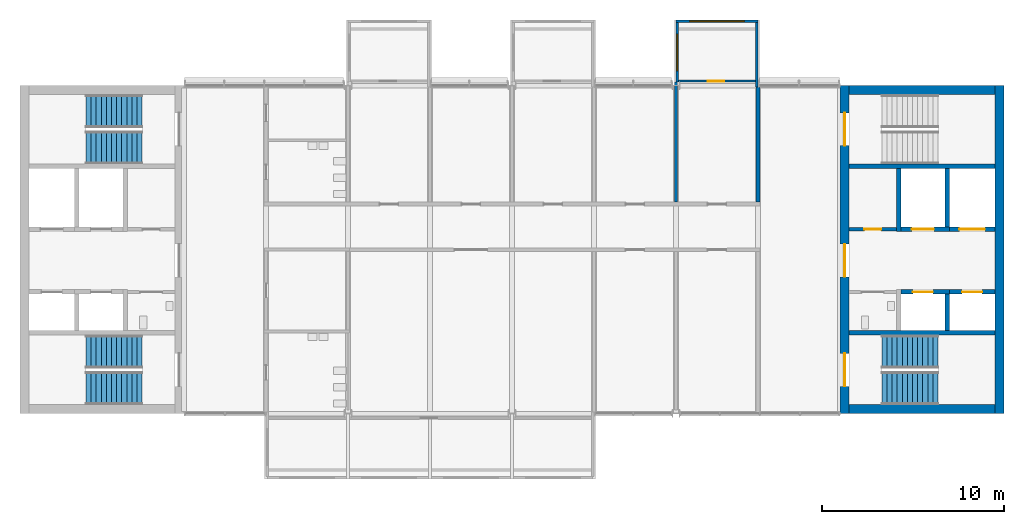
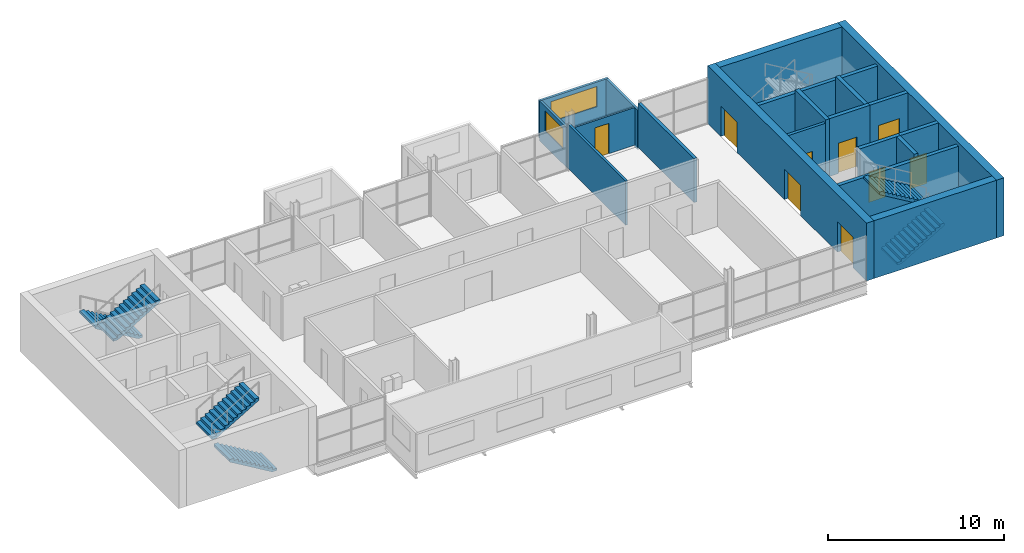
# One storey, part 7 of 11: 20 walls, 9 doors, 6 stair flights, 2 windows, 11 openings, 3 elements without a shape of their own.
"""IFC4 building model written with IfcOpenShell, lengths in metres."""

from ifc_helpers import new_model, si_unit, direction, frame, frame_2d, origin, place, context, subcontext, project, spatial, polyline, rectangle, outline, extrude, material, layer, layer_set, type_object, element, fill, aggregate, save


model = new_model("IFC4")

# Units and contexts
model_context = context("Model", 3, precision=1e-05, world=origin(), true_north=direction((0.0, 1.0)))
body_context = subcontext(model_context, "Body", "Model", "MODEL_VIEW")
ifc_project = project(units=[si_unit("LENGTHUNIT", "METRE"), si_unit("AREAUNIT", "SQUARE_METRE"), si_unit("VOLUMEUNIT", "CUBIC_METRE"), si_unit("PLANEANGLEUNIT", "RADIAN"), si_unit("MASSUNIT", "GRAM", prefix="KILO")], contexts=[model_context])

# Site, building, storey
site_placement = place(None, origin())
site = spatial("IfcSite", under=ifc_project, at=site_placement, CompositionType="ELEMENT")
building_placement = place(site_placement, origin())
building = spatial("IfcBuilding", under=site, at=building_placement, Name="Corbel Yard City Hall", CompositionType="ELEMENT")
storey_placement = place(building_placement, frame((0.0, 0.0, 35.199951171875)))
storey = spatial("IfcBuildingStorey", under=building, at=storey_placement, Name="L08", CompositionType="ELEMENT", Elevation=35.199951171875)

# Walls
ifc_material_1 = material(Name="Concrete N40 (40 MPa)", Category="concrete")
ifc_layer_1 = layer(ifc_material_1, 0.25)
ifc_layer_set_1 = layer_set([ifc_layer_1], Name="Concrete N40 (40 MPa)")
wall_type_1 = type_object("IfcWallType", Name="IW2", PredefinedType="SOLIDWALL", material=ifc_layer_set_1)
for number, where, z_axis, x_axis, name in (
    (1, (45.5, 103.425048828125, 0.0), (0.0, 0.0, 1.0), (1.0, 0.0, 0.0), "Stair enclosure wall"),
    (2, (45.5, 112.574951171875, 0.0), (0.0, 0.0, 1.0), (1.0, 0.0, 0.0), "Stair enclosure wall"),
):
    element("IfcWall", number, at=place(storey_placement, frame(where, z_axis=z_axis, x_axis=x_axis)), inside=storey, type_object=wall_type_1, Name=name, PredefinedType="SOLIDWALL", context=body_context, shape_type="SweptSolid", body=[
        extrude(rectangle(XDim=8.0, YDim=0.25, at=frame_2d((4.0, 0.0))), origin(), (0.0, 0.0, 1.0), 3.75),
    ])
wall_1_placement = place(storey_placement, frame((50.875, 103.550048828125, 0.0), z_axis=(0.0, 0.0, 1.0), x_axis=(0.0, 1.0, 0.0)))
element("IfcWall", 3, at=wall_1_placement, inside=storey, type_object=wall_type_1, Name="Lift LP25 shaft wall", PredefinedType="SOLIDWALL", context=body_context, shape_type="SweptSolid", body=[
    extrude(rectangle(XDim=2.0, YDim=0.25, at=frame_2d((1.0, 0.0))), origin(), (0.0, 0.0, 1.0), 4.0),
])

# Wall, opening, door
wall_2_placement = place(storey_placement, frame((48.35009765625, 105.675048828125, 0.0), z_axis=(0.0, 0.0, 1.0), x_axis=(1.0, 0.0, 0.0)))
wall_2 = element("IfcWall", 4, at=wall_2_placement, inside=storey, type_object=wall_type_1, Name="Lift LP25 shaft wall", PredefinedType="SOLIDWALL", context=body_context, shape_type="SweptSolid", body=[
    extrude(rectangle(XDim=2.64990234375, YDim=0.25, at=frame_2d((1.324951171875, 0.0))), origin(), (0.0, 0.0, 1.0), 4.0),
])
opening_1_placement = place(wall_2_placement, frame((0.64990234375, 0.0, 0.0)))
opening_1 = element("IfcOpeningElement", 5, at=opening_1_placement, cuts=wall_2, Name="Opening T2-009", PredefinedType="OPENING", context=body_context, shape_type="SweptSolid", body=[
    extrude(rectangle(XDim=1.10009765625, YDim=2.10009765625, at=frame_2d((0.550048828125, 1.050048828125))), frame((0.0, 0.135009765625, 0.0), z_axis=(0.0, -1.0, 0.0), x_axis=(1.0, 0.0, 0.0)), (0.0, 0.0, 1.0), 0.27001953125),
])
ifc_material_2 = material(Name="Stainless steel Grade 316", Category="steel")
door_type_1 = type_object("IfcDoorType", Name="LD1", OperationType="DOUBLE_DOOR_SLIDING", PredefinedType="DOOR", material=ifc_material_2)
door_1_placement = place(opening_1_placement, origin())
door_1 = element("IfcDoor", 6, at=door_1_placement, inside=storey, type_object=door_type_1, Name="Lift LP25 landing door", OperationType="DOUBLE_DOOR_SLIDING", OverallHeight=2.10009765625, OverallWidth=1.10009765625, PredefinedType="DOOR", context=body_context, shape_type="SweptSolid", body=[
    extrude(rectangle(XDim=1.10009765625, YDim=2.10009765625, at=frame_2d((0.550048828125, 1.050048828125))), frame((0.0, 0.02490234375, 0.0), z_axis=(0.0, -1.0, 0.0), x_axis=(1.0, 0.0, 0.0)), (0.0, 0.0, 1.0), 0.050048828125),
])
fill(opening_1, door_1)

wall_3_placement = place(storey_placement, frame((51.0, 105.675048828125, 0.0), z_axis=(0.0, 0.0, 1.0), x_axis=(1.0, 0.0, 0.0)))
wall_3 = element("IfcWall", 7, at=wall_3_placement, inside=storey, type_object=wall_type_1, Name="Lift LP26 shaft wall", PredefinedType="SOLIDWALL", context=body_context, shape_type="SweptSolid", body=[
    extrude(rectangle(XDim=2.5, YDim=0.25, at=frame_2d((1.25, 0.0))), origin(), (0.0, 0.0, 1.0), 4.0),
])
opening_2_placement = place(wall_3_placement, frame((0.699951171875, 0.0, 0.0)))
opening_2 = element("IfcOpeningElement", 8, at=opening_2_placement, cuts=wall_3, Name="Opening T2-010", PredefinedType="OPENING", context=body_context, shape_type="SweptSolid", body=[
    extrude(rectangle(XDim=1.10009765625, YDim=2.10009765625, at=frame_2d((0.550048828125, 1.050048828125))), frame((0.0, 0.135009765625, 0.0), z_axis=(0.0, -1.0, 0.0), x_axis=(1.0, 0.0, 0.0)), (0.0, 0.0, 1.0), 0.27001953125),
])
door_2_placement = place(opening_2_placement, origin())
door_2 = element("IfcDoor", 9, at=door_2_placement, inside=storey, type_object=door_type_1, Name="Lift LP26 landing door", OperationType="DOUBLE_DOOR_SLIDING", OverallHeight=2.10009765625, OverallWidth=1.10009765625, PredefinedType="DOOR", context=body_context, shape_type="SweptSolid", body=[
    extrude(rectangle(XDim=1.10009765625, YDim=2.10009765625, at=frame_2d((0.550048828125, 1.050048828125))), frame((0.0, 0.02490234375, 0.0), z_axis=(0.0, -1.0, 0.0), x_axis=(1.0, 0.0, 0.0)), (0.0, 0.0, 1.0), 0.050048828125),
])
fill(opening_2, door_2)

# Walls
wall_4_placement = place(storey_placement, frame((48.22509765625, 109.0, 0.0), z_axis=(0.0, 0.0, 1.0), x_axis=(0.0, 1.0, 0.0)))
element("IfcWall", 10, at=wall_4_placement, inside=storey, type_object=wall_type_1, Name="Lift LF2 shaft wall", PredefinedType="SOLIDWALL", context=body_context, shape_type="SweptSolid", body=[
    extrude(rectangle(XDim=3.449951171875, YDim=0.25, at=frame_2d((1.72509765625, 0.0))), origin(), (0.0, 0.0, 1.0), 4.0),
])
wall_5_placement = place(storey_placement, frame((50.875, 109.25, 0.0), z_axis=(0.0, 0.0, 1.0), x_axis=(0.0, 1.0, 0.0)))
element("IfcWall", 11, at=wall_5_placement, inside=storey, type_object=wall_type_1, Name="Lift LF2 shaft wall", PredefinedType="SOLIDWALL", context=body_context, shape_type="SweptSolid", body=[
    extrude(rectangle(XDim=3.199951171875, YDim=0.25, at=frame_2d((1.60009765625, 0.0))), origin(), (0.0, 0.0, 1.0), 4.0),
])

# Wall, opening, door
wall_6_placement = place(storey_placement, frame((48.35009765625, 109.125, 0.0), z_axis=(0.0, 0.0, 1.0), x_axis=(1.0, 0.0, 0.0)))
wall_6 = element("IfcWall", 12, at=wall_6_placement, inside=storey, type_object=wall_type_1, Name="Lift LF2 shaft wall", PredefinedType="SOLIDWALL", context=body_context, shape_type="SweptSolid", body=[
    extrude(rectangle(XDim=2.64990234375, YDim=0.25, at=frame_2d((1.324951171875, 0.0))), origin(), (0.0, 0.0, 1.0), 4.0),
])
opening_3_placement = place(wall_6_placement, frame((0.60009765625, 0.0, 0.0)))
opening_3 = element("IfcOpeningElement", 13, at=opening_3_placement, cuts=wall_6, Name="Opening T2-011", PredefinedType="OPENING", context=body_context, shape_type="SweptSolid", body=[
    extrude(rectangle(XDim=1.199951171875, YDim=2.10009765625, at=frame_2d((0.60009765625, 1.050048828125))), frame((0.0, 0.135009765625, 0.0), z_axis=(0.0, -1.0, 0.0), x_axis=(1.0, 0.0, 0.0)), (0.0, 0.0, 1.0), 0.27001953125),
])
door_type_2 = type_object("IfcDoorType", Name="LD2", OperationType="DOUBLE_DOOR_SLIDING", PredefinedType="DOOR", material=ifc_material_2)
door_3_placement = place(opening_3_placement, origin())
door_3 = element("IfcDoor", 14, at=door_3_placement, inside=storey, type_object=door_type_2, Name="Lift LF2 landing door", OperationType="DOUBLE_DOOR_SLIDING", OverallHeight=2.10009765625, OverallWidth=1.199951171875, PredefinedType="DOOR", context=body_context, shape_type="SweptSolid", body=[
    extrude(rectangle(XDim=1.199951171875, YDim=2.10009765625, at=frame_2d((0.60009765625, 1.050048828125))), frame((0.0, 0.02490234375, 0.0), z_axis=(0.0, -1.0, 0.0), x_axis=(1.0, 0.0, 0.0)), (0.0, 0.0, 1.0), 0.050048828125),
])
fill(opening_3, door_3)

wall_7_placement = place(storey_placement, frame((51.0, 109.125, 0.0), z_axis=(0.0, 0.0, 1.0), x_axis=(1.0, 0.0, 0.0)))
wall_7 = element("IfcWall", 15, at=wall_7_placement, inside=storey, type_object=wall_type_1, Name="Lift LG1 shaft wall", PredefinedType="SOLIDWALL", context=body_context, shape_type="SweptSolid", body=[
    extrude(rectangle(XDim=2.5, YDim=0.25, at=frame_2d((1.25, 0.0))), origin(), (0.0, 0.0, 1.0), 4.0),
])
opening_4_placement = place(wall_7_placement, frame((0.550048828125, 0.0, 0.0)))
opening_4 = element("IfcOpeningElement", 16, at=opening_4_placement, cuts=wall_7, Name="Opening T2-012", PredefinedType="OPENING", context=body_context, shape_type="SweptSolid", body=[
    extrude(rectangle(XDim=1.39990234375, YDim=2.39990234375, at=frame_2d((0.699951171875, 1.199951171875))), frame((0.0, 0.135009765625, 0.0), z_axis=(0.0, -1.0, 0.0), x_axis=(1.0, 0.0, 0.0)), (0.0, 0.0, 1.0), 0.27001953125),
])
door_type_3 = type_object("IfcDoorType", Name="LD3", OperationType="DOUBLE_DOOR_SLIDING", PredefinedType="DOOR", material=ifc_material_2)
door_4_placement = place(opening_4_placement, origin())
door_4 = element("IfcDoor", 17, at=door_4_placement, inside=storey, type_object=door_type_3, Name="Lift LG1 landing door", OperationType="DOUBLE_DOOR_SLIDING", OverallHeight=2.39990234375, OverallWidth=1.39990234375, PredefinedType="DOOR", context=body_context, shape_type="SweptSolid", body=[
    extrude(rectangle(XDim=1.39990234375, YDim=2.39990234375, at=frame_2d((0.699951171875, 1.199951171875))), frame((0.0, 0.02490234375, 0.0), z_axis=(0.0, -1.0, 0.0), x_axis=(1.0, 0.0, 0.0)), (0.0, 0.0, 1.0), 0.050048828125),
])
fill(opening_4, door_4)

# Wall, opening, window
ifc_material_3 = material(Name="Anodised aluminium", Category="aluminium")
ifc_layer_2 = layer(ifc_material_3, 0.02392578125)
ifc_material_4 = material(Name="Steel Grade G550 (550 MPa yield)", Category="steel")
ifc_layer_3 = layer(ifc_material_4, 0.10009765625)
ifc_material_5 = material(Name="Gypsum plasterboard", Category="gypsum")
ifc_layer_4 = layer(ifc_material_5, 0.02587890625)
ifc_layer_set_2 = layer_set([ifc_layer_2, ifc_layer_3, ifc_layer_4], Name="Steel Grade G550 (550 MPa yield)")
wall_type_2 = type_object("IfcWallType", Name="PD1", PredefinedType="SOLIDWALL", material=ifc_layer_set_2)
wall_8_placement = place(storey_placement, frame((36.0, 120.52490234375, 0.0), z_axis=(0.0, 0.0, 1.0), x_axis=(1.0, 0.0, 0.0)))
wall_8 = element("IfcWall", 18, at=wall_8_placement, inside=storey, type_object=wall_type_2, Name="Pod outer wall L08", PredefinedType="SOLIDWALL", context=body_context, shape_type="SweptSolid", body=[
    extrude(rectangle(XDim=4.5, YDim=0.14990234375, at=frame_2d((2.25, 0.0))), origin(), (0.0, 0.0, 1.0), 2.60009765625),
])
opening_5_placement = place(wall_8_placement, frame((0.75, 0.0, 0.89990234375)))
opening_5 = element("IfcOpeningElement", 19, at=opening_5_placement, cuts=wall_8, Name="Opening WN5", PredefinedType="OPENING", context=body_context, shape_type="SweptSolid", body=[
    extrude(rectangle(XDim=3.0, YDim=1.39990234375, at=frame_2d((1.5, 0.699951171875))), frame((0.0, 0.0849609375, 0.0), z_axis=(0.0, -1.0, 0.0), x_axis=(1.0, 0.0, 0.0)), (0.0, 0.0, 1.0), 0.169921875),
])
ifc_material_6 = material(Name="Aluminium frame, double glazed low-e glass", Category="aluminium")
window_type_1 = type_object("IfcWindowType", Name="WN5", PartitioningType="SINGLE_PANEL", PredefinedType="WINDOW", material=ifc_material_6)
window_1_placement = place(opening_5_placement, origin())
window_1 = element("IfcWindow", 20, at=window_1_placement, inside=storey, type_object=window_type_1, Name="Window WN5 L08", OverallHeight=1.39990234375, OverallWidth=3.0, PartitioningType="SINGLE_PANEL", PredefinedType="WINDOW", context=body_context, shape_type="SweptSolid", body=[
    extrude(rectangle(XDim=3.0, YDim=1.39990234375, at=frame_2d((1.5, 0.699951171875))), frame((0.0, 0.030029296875, 0.0), z_axis=(0.0, -1.0, 0.0), x_axis=(1.0, 0.0, 0.0)), (0.0, 0.0, 1.0), 0.06005859375),
])
fill(opening_5, window_1)

# Wall, opening, door
ifc_layer_5 = layer(ifc_material_5, 0.01806640625)
ifc_layer_6 = layer(ifc_material_4, 0.06396484375)
ifc_layer_7 = layer(ifc_material_5, 0.01806640625)
ifc_layer_set_3 = layer_set([ifc_layer_5, ifc_layer_6, ifc_layer_7], Name="Steel Grade G550 (550 MPa yield)")
wall_type_3 = type_object("IfcWallType", Name="PD2", PredefinedType="PARTITIONING", material=ifc_layer_set_3)
wall_9_placement = place(storey_placement, frame((36.14990234375, 117.25, 0.0), z_axis=(0.0, 0.0, 1.0), x_axis=(1.0, 0.0, 0.0)))
wall_9 = element("IfcWall", 21, at=wall_9_placement, inside=storey, type_object=wall_type_3, Name="Pod inner wall L08", PredefinedType="PARTITIONING", context=body_context, shape_type="SweptSolid", body=[
    extrude(rectangle(XDim=4.2001953125, YDim=0.10009765625, at=frame_2d((2.10009765625, 0.0))), origin(), (0.0, 0.0, 1.0), 2.60009765625),
])
opening_6_placement = place(wall_9_placement, frame((1.60009765625, 0.0, 0.0)))
opening_6 = element("IfcOpeningElement", 22, at=opening_6_placement, cuts=wall_9, Name="Opening T2-004", PredefinedType="OPENING", context=body_context, shape_type="SweptSolid", body=[
    extrude(rectangle(XDim=0.89990234375, YDim=2.10009765625, at=frame_2d((0.449951171875, 1.050048828125))), frame((0.0, 0.06005859375, 0.0), z_axis=(0.0, -1.0, 0.0), x_axis=(1.0, 0.0, 0.0)), (0.0, 0.0, 1.0), 0.1201171875),
])
ifc_material_7 = material(Name="Timber, solid core", Category="wood")
door_type_4 = type_object("IfcDoorType", Name="XD6", OperationType="SINGLE_SWING_LEFT", PredefinedType="DOOR", material=ifc_material_7)
door_5_placement = place(opening_6_placement, origin())
door_5 = element("IfcDoor", 23, at=door_5_placement, inside=storey, type_object=door_type_4, Name="Pod door L08", OperationType="SINGLE_SWING_LEFT", OverallHeight=2.10009765625, OverallWidth=0.89990234375, PredefinedType="DOOR", context=body_context, shape_type="SweptSolid", body=[
    extrude(rectangle(XDim=0.89990234375, YDim=2.10009765625, at=frame_2d((0.449951171875, 1.050048828125))), frame((0.0, 0.02490234375, 0.0), z_axis=(0.0, -1.0, 0.0), x_axis=(1.0, 0.0, 0.0)), (0.0, 0.0, 1.0), 0.050048828125),
])
fill(opening_6, door_5)

# Wall, opening, window
ifc_layer_8 = layer(ifc_material_3, 0.02392578125)
ifc_layer_9 = layer(ifc_material_4, 0.10009765625)
ifc_layer_10 = layer(ifc_material_5, 0.02587890625)
ifc_layer_set_4 = layer_set([ifc_layer_8, ifc_layer_9, ifc_layer_10], Name="Steel Grade G550 (550 MPa yield)")
wall_type_4 = type_object("IfcWallType", Name="PD3", PredefinedType="SOLIDWALL", material=ifc_layer_set_4)
wall_10_placement = place(storey_placement, frame((36.074951171875, 120.449951171875, -0.14990234375), z_axis=(0.0, 0.0, 1.0), x_axis=(0.0, -1.0, 0.0)))
wall_10 = element("IfcWall", 24, at=wall_10_placement, inside=storey, type_object=wall_type_4, Name="Pod side wall L08", PredefinedType="SOLIDWALL", context=body_context, shape_type="SweptSolid", body=[
    extrude(rectangle(XDim=3.25, YDim=0.14990234375, at=frame_2d((1.625, 0.0))), origin(), (0.0, 0.0, 1.0), 2.75),
])
opening_7_placement = place(wall_10_placement, frame((0.625, 0.0, 1.050048828125)))
opening_7 = element("IfcOpeningElement", 25, at=opening_7_placement, cuts=wall_10, Name="Opening WN6", PredefinedType="OPENING", context=body_context, shape_type="SweptSolid", body=[
    extrude(rectangle(XDim=2.0, YDim=1.39990234375, at=frame_2d((1.0, 0.699951171875))), frame((0.0, 0.0849609375, 0.0), z_axis=(0.0, -1.0, 0.0), x_axis=(1.0, 0.0, 0.0)), (0.0, 0.0, 1.0), 0.169921875),
])
window_type_2 = type_object("IfcWindowType", Name="WN6", PartitioningType="SINGLE_PANEL", PredefinedType="WINDOW", material=ifc_material_6)
window_2_placement = place(opening_7_placement, origin())
window_2 = element("IfcWindow", 26, at=window_2_placement, inside=storey, type_object=window_type_2, Name="Window WN6 L08", OverallHeight=1.39990234375, OverallWidth=2.0, PartitioningType="SINGLE_PANEL", PredefinedType="WINDOW", context=body_context, shape_type="SweptSolid", body=[
    extrude(rectangle(XDim=2.0, YDim=1.39990234375, at=frame_2d((1.0, 0.699951171875))), frame((0.0, 0.030029296875, 0.0), z_axis=(0.0, -1.0, 0.0), x_axis=(1.0, 0.0, 0.0)), (0.0, 0.0, 1.0), 0.06005859375),
])
fill(opening_7, window_2)

# Walls
wall_11_placement = place(storey_placement, frame((40.425048828125, 120.449951171875, -0.14990234375), z_axis=(0.0, 0.0, 1.0), x_axis=(0.0, -1.0, 0.0)))
element("IfcWall", 27, at=wall_11_placement, inside=storey, type_object=wall_type_4, Name="Pod side wall L08", PredefinedType="SOLIDWALL", context=body_context, shape_type="SweptSolid", body=[
    extrude(rectangle(XDim=3.5400390625, YDim=0.14990234375, at=frame_2d((1.77001953125, 0.0))), origin(), (0.0, 0.0, 1.0), 2.75),
])
ifc_layer_11 = layer(ifc_material_5, 0.031982421875)
ifc_layer_12 = layer(ifc_material_4, 0.135986328125)
ifc_layer_13 = layer(ifc_material_5, 0.031982421875)
ifc_layer_set_5 = layer_set([ifc_layer_11, ifc_layer_12, ifc_layer_13], Name="Steel Grade G550 (550 MPa yield)")
wall_type_5 = type_object("IfcWallType", Name="PT2", PredefinedType="PARTITIONING", material=ifc_layer_set_5)
wall_12_placement = place(storey_placement, frame((40.5, 110.60009765625, 0.0), z_axis=(0.0, 0.0, 1.0), x_axis=(0.0, 1.0, 0.0)))
element("IfcWall", 28, at=wall_12_placement, inside=storey, type_object=wall_type_5, Name="Acoustic wall", PredefinedType="PARTITIONING", context=body_context, shape_type="SweptSolid", body=[
    extrude(rectangle(XDim=6.309814453125, YDim=0.199951171875, at=frame_2d((3.15478515625, 0.0))), origin(), (0.0, 0.0, 1.0), 3.050048828125),
])

# Wall, opening, door
ifc_material_8 = material(Name="Concrete block", Category="concrete")
ifc_layer_14 = layer(ifc_material_8, 0.18994140625)
ifc_layer_set_6 = layer_set([ifc_layer_14], Name="Concrete block")
wall_type_6 = type_object("IfcWallType", Name="PT4", PredefinedType="PARTITIONING", material=ifc_layer_set_6)
wall_13_placement = place(storey_placement, frame((45.5, 109.125, 0.0), z_axis=(0.0, 0.0, 1.0), x_axis=(1.0, 0.0, 0.0)))
wall_13 = element("IfcWall", 29, at=wall_13_placement, inside=storey, type_object=wall_type_6, Name="Riser wall", PredefinedType="PARTITIONING", context=body_context, shape_type="SweptSolid", body=[
    extrude(rectangle(XDim=2.60009765625, YDim=0.18994140625, at=frame_2d((1.300048828125, 0.0))), origin(), (0.0, 0.0, 1.0), 3.75),
])
opening_8_placement = place(wall_13_placement, frame((0.840087890625, 0.0, 0.0)))
opening_8 = element("IfcOpeningElement", 30, at=opening_8_placement, cuts=wall_13, Name="Opening T2-034", PredefinedType="OPENING", context=body_context, shape_type="SweptSolid", body=[
    extrude(rectangle(XDim=0.919921875, YDim=2.10009765625, at=frame_2d((0.4599609375, 1.050048828125))), frame((0.0, 0.10498046875, 0.0), z_axis=(0.0, -1.0, 0.0), x_axis=(1.0, 0.0, 0.0)), (0.0, 0.0, 1.0), 0.2099609375),
])
ifc_material_9 = material(Name="Steel Grade G250", Category="steel")
door_type_5 = type_object("IfcDoorType", Name="FS4", OperationType="SINGLE_SWING_LEFT", PredefinedType="DOOR", material=ifc_material_9)
door_6_placement = place(opening_8_placement, origin())
door_6 = element("IfcDoor", 31, at=door_6_placement, inside=storey, type_object=door_type_5, Name="Door riser East", OperationType="SINGLE_SWING_LEFT", OverallHeight=2.10009765625, OverallWidth=0.919921875, PredefinedType="DOOR", context=body_context, shape_type="SweptSolid", body=[
    extrude(rectangle(XDim=0.919921875, YDim=2.10009765625, at=frame_2d((0.4599609375, 1.050048828125))), frame((0.0, 0.02490234375, 0.0), z_axis=(0.0, -1.0, 0.0), x_axis=(1.0, 0.0, 0.0)), (0.0, 0.0, 1.0), 0.050048828125),
])
fill(opening_8, door_6)

# Wall
ifc_layer_15 = layer(ifc_material_5, 0.031982421875)
ifc_layer_16 = layer(ifc_material_4, 0.0859375)
ifc_layer_17 = layer(ifc_material_5, 0.031982421875)
ifc_layer_set_7 = layer_set([ifc_layer_15, ifc_layer_16, ifc_layer_17], Name="Steel Grade G550 (550 MPa yield)")
wall_type_7 = type_object("IfcWallType", Name="PT7", PredefinedType="PARTITIONING", material=ifc_layer_set_7)
wall_14_placement = place(storey_placement, frame((36.0, 110.60009765625, 0.0), z_axis=(0.0, 0.0, 1.0), x_axis=(0.0, 1.0, 0.0)))
element("IfcWall", 32, at=wall_14_placement, inside=storey, type_object=wall_type_7, Name="Suite partition", PredefinedType="PARTITIONING", context=body_context, shape_type="SweptSolid", body=[
    extrude(rectangle(XDim=6.599853515625, YDim=0.14990234375, at=frame_2d((3.2998046875, 0.0))), origin(), (0.0, 0.0, 1.0), 3.050048828125),
])

# Wall, openings, doors
ifc_material_10 = material(Name="Concrete N50 (50 MPa)", Category="concrete")
ifc_layer_18 = layer(ifc_material_10, 0.5)
ifc_layer_set_8 = layer_set([ifc_layer_18], Name="Concrete N50 (50 MPa)")
wall_type_8 = type_object("IfcWallType", Name="Trunk wall 500", PredefinedType="SHEAR", material=ifc_layer_set_8)
wall_15_placement = place(storey_placement, frame((45.25, 99.0, 0.0), z_axis=(0.0, 0.0, 1.0), x_axis=(0.0, 1.0, 0.0)))
wall_15 = element("IfcWall", 33, at=wall_15_placement, inside=storey, type_object=wall_type_8, Name="Trunk E west wall", PredefinedType="SHEAR", context=body_context, shape_type="SweptSolid", body=[
    extrude(rectangle(XDim=18.0, YDim=0.5, at=frame_2d((9.0, 0.0))), origin(), (0.0, 0.0, 1.0), 4.0),
])
opening_9_placement = place(wall_15_placement, frame((1.5, 0.0, 0.0)))
opening_9 = element("IfcOpeningElement", 34, at=opening_9_placement, cuts=wall_15, Name="Opening T2-030", PredefinedType="OPENING", context=body_context, shape_type="SweptSolid", body=[
    extrude(rectangle(XDim=1.800048828125, YDim=2.10009765625, at=frame_2d((0.89990234375, 1.050048828125))), frame((0.0, 0.260009765625, 0.0), z_axis=(0.0, -1.0, 0.0), x_axis=(1.0, 0.0, 0.0)), (0.0, 0.0, 1.0), 0.52001953125),
])
opening_10_placement = place(wall_15_placement, frame((14.699951171875, 0.0, 0.0)))
opening_10 = element("IfcOpeningElement", 35, at=opening_10_placement, cuts=wall_15, Name="Opening T2-031", PredefinedType="OPENING", context=body_context, shape_type="SweptSolid", body=[
    extrude(rectangle(XDim=1.800048828125, YDim=2.10009765625, at=frame_2d((0.89990234375, 1.050048828125))), frame((0.0, 0.260009765625, 0.0), z_axis=(0.0, -1.0, 0.0), x_axis=(1.0, 0.0, 0.0)), (0.0, 0.0, 1.0), 0.52001953125),
])
opening_11_placement = place(wall_15_placement, frame((7.5, 0.0, 0.0)))
opening_11 = element("IfcOpeningElement", 36, at=opening_11_placement, cuts=wall_15, Name="Opening T2-032", PredefinedType="OPENING", context=body_context, shape_type="SweptSolid", body=[
    extrude(rectangle(XDim=1.800048828125, YDim=2.10009765625, at=frame_2d((0.89990234375, 1.050048828125))), frame((0.0, 0.260009765625, 0.0), z_axis=(0.0, -1.0, 0.0), x_axis=(1.0, 0.0, 0.0)), (0.0, 0.0, 1.0), 0.52001953125),
])
door_type_6 = type_object("IfcDoorType", Name="FS3", OperationType="DOUBLE_DOOR_SINGLE_SWING", PredefinedType="DOOR", material=ifc_material_9)
door_7_placement = place(opening_9_placement, origin())
door_7 = element("IfcDoor", 37, at=door_7_placement, inside=storey, type_object=door_type_6, Name="Door ST-E1", OperationType="DOUBLE_DOOR_SINGLE_SWING", OverallHeight=2.10009765625, OverallWidth=1.800048828125, PredefinedType="DOOR", context=body_context, shape_type="SweptSolid", body=[
    extrude(rectangle(XDim=1.800048828125, YDim=2.10009765625, at=frame_2d((0.89990234375, 1.050048828125))), frame((0.0, 0.02490234375, 0.0), z_axis=(0.0, -1.0, 0.0), x_axis=(1.0, 0.0, 0.0)), (0.0, 0.0, 1.0), 0.050048828125),
])
fill(opening_9, door_7)
door_8_placement = place(opening_10_placement, origin())
door_8 = element("IfcDoor", 38, at=door_8_placement, inside=storey, type_object=door_type_6, Name="Door ST-E2", OperationType="DOUBLE_DOOR_SINGLE_SWING", OverallHeight=2.10009765625, OverallWidth=1.800048828125, PredefinedType="DOOR", context=body_context, shape_type="SweptSolid", body=[
    extrude(rectangle(XDim=1.800048828125, YDim=2.10009765625, at=frame_2d((0.89990234375, 1.050048828125))), frame((0.0, 0.02490234375, 0.0), z_axis=(0.0, -1.0, 0.0), x_axis=(1.0, 0.0, 0.0)), (0.0, 0.0, 1.0), 0.050048828125),
])
fill(opening_10, door_8)
door_9_placement = place(opening_11_placement, origin())
door_9 = element("IfcDoor", 39, at=door_9_placement, inside=storey, type_object=door_type_6, Name="Door lift lobby East", OperationType="DOUBLE_DOOR_SINGLE_SWING", OverallHeight=2.10009765625, OverallWidth=1.800048828125, PredefinedType="DOOR", context=body_context, shape_type="SweptSolid", body=[
    extrude(rectangle(XDim=1.800048828125, YDim=2.10009765625, at=frame_2d((0.89990234375, 1.050048828125))), frame((0.0, 0.02490234375, 0.0), z_axis=(0.0, -1.0, 0.0), x_axis=(1.0, 0.0, 0.0)), (0.0, 0.0, 1.0), 0.050048828125),
])
fill(opening_11, door_9)

# Walls
wall_16_placement = place(storey_placement, frame((53.75, 99.0, 0.0), z_axis=(0.0, 0.0, 1.0), x_axis=(0.0, 1.0, 0.0)))
element("IfcWall", 40, at=wall_16_placement, inside=storey, type_object=wall_type_8, Name="Trunk E east wall", PredefinedType="SHEAR", context=body_context, shape_type="SweptSolid", body=[
    extrude(rectangle(XDim=18.0, YDim=0.5, at=frame_2d((9.0, 0.0))), origin(), (0.0, 0.0, 1.0), 4.0),
])
for number, where, z_axis, x_axis, name in (
    (41, (45.5, 99.25, 0.0), (0.0, 0.0, 1.0), (1.0, 0.0, 0.0), "Trunk E south wall"),
    (42, (45.5, 116.75, 0.0), (0.0, 0.0, 1.0), (1.0, 0.0, 0.0), "Trunk E north wall"),
):
    element("IfcWall", number, at=place(storey_placement, frame(where, z_axis=z_axis, x_axis=x_axis)), inside=storey, type_object=wall_type_8, Name=name, PredefinedType="SHEAR", context=body_context, shape_type="SweptSolid", body=[
        extrude(rectangle(XDim=8.0, YDim=0.5, at=frame_2d((4.0, 0.0))), origin(), (0.0, 0.0, 1.0), 4.0),
    ])

# Stair, stair flights
stair_type = type_object("IfcStairType", Name="ST4", PredefinedType="HALF_TURN_STAIR", material=ifc_material_1)
stair_1_placement = place(storey_placement, origin())
stair_1 = element("IfcStair", 43, at=stair_1_placement, inside=storey, type_object=stair_type, Name="Exit stair ST-W1 L08", PredefinedType="HALF_TURN_STAIR")
stair_flight_type = type_object("IfcStairFlightType", Name="FL4", PredefinedType="STRAIGHT", material=ifc_material_1)
stair_flight_1_placement = place(storey_placement, frame((6.699951171875, 100.39990234375, 0.0), z_axis=(0.0, 0.0, 1.0), x_axis=(-1.0, 0.0, 0.0)))
stair_flight_1 = element("IfcStairFlight", 44, at=stair_flight_1_placement, type_object=stair_flight_type, Name="ST-W1 flight 1", NumberOfRisers=12, NumberOfTreads=11, PredefinedType="STRAIGHT", RiserHeight=0.166667, TreadLength=0.28, context=body_context, shape_type="SweptSolid", body=[
    extrude(outline(polyline([(0.0, 0.0), (0.0, 0.166748046875), (0.280029296875, 0.166748046875), (0.280029296875, 0.333251953125), (0.56005859375, 0.333251953125), (0.56005859375, 0.5), (0.840087890625, 0.5), (0.840087890625, 0.666748046875), (1.1201171875, 0.666748046875), (1.1201171875, 0.833251953125), (1.39990234375, 0.833251953125), (1.39990234375, 1.0), (1.679931640625, 1.0), (1.679931640625, 1.166748046875), (1.9599609375, 1.166748046875), (1.9599609375, 1.333251953125), (2.239990234375, 1.333251953125), (2.239990234375, 1.5), (2.52001953125, 1.5), (2.52001953125, 1.666748046875), (2.800048828125, 1.666748046875), (2.800048828125, 1.833251953125), (3.080078125, 1.833251953125), (3.080078125, 2.0), (3.080078125, 1.658935546875), (0.29296875, 0.0), (0.0, 0.0)])), frame((0.0, 0.89990234375, 0.0), z_axis=(0.0, -1.0, 0.0), x_axis=(1.0, 0.0, 0.0)), (0.0, 0.0, 1.0), 1.800048828125),
])
stair_flight_2_placement = place(storey_placement, frame((3.6201171875, 102.39990234375, 2.0), z_axis=(0.0, 0.0, 1.0), x_axis=(1.0, 0.0, 0.0)))
stair_flight_2 = element("IfcStairFlight", 45, at=stair_flight_2_placement, type_object=stair_flight_type, Name="ST-W1 flight 2", NumberOfRisers=12, NumberOfTreads=11, PredefinedType="STRAIGHT", RiserHeight=0.166667, TreadLength=0.28, context=body_context, shape_type="SweptSolid", body=[
    extrude(outline(polyline([(0.0, 0.0), (0.0, 0.166748046875), (0.280029296875, 0.166748046875), (0.280029296875, 0.333251953125), (0.56005859375, 0.333251953125), (0.56005859375, 0.5), (0.840087890625, 0.5), (0.840087890625, 0.666748046875), (1.1201171875, 0.666748046875), (1.1201171875, 0.833251953125), (1.39990234375, 0.833251953125), (1.39990234375, 1.0), (1.679931640625, 1.0), (1.679931640625, 1.166748046875), (1.9599609375, 1.166748046875), (1.9599609375, 1.333251953125), (2.239990234375, 1.333251953125), (2.239990234375, 1.5), (2.52001953125, 1.5), (2.52001953125, 1.666748046875), (2.800048828125, 1.666748046875), (2.800048828125, 1.833251953125), (3.080078125, 1.833251953125), (3.080078125, 2.0), (3.080078125, 1.658935546875), (0.29296875, 0.0), (0.0, 0.0)])), frame((0.0, 0.89990234375, 0.0), z_axis=(0.0, -1.0, 0.0), x_axis=(1.0, 0.0, 0.0)), (0.0, 0.0, 1.0), 1.800048828125),
])
aggregate(stair_1, [stair_flight_1, stair_flight_2])

stair_2_placement = place(storey_placement, origin())
stair_2 = element("IfcStair", 46, at=stair_2_placement, inside=storey, type_object=stair_type, Name="Exit stair ST-W2 L08", PredefinedType="HALF_TURN_STAIR")
stair_flight_3_placement = place(storey_placement, frame((6.699951171875, 115.60009765625, 0.0), z_axis=(0.0, 0.0, 1.0), x_axis=(-1.0, 0.0, 0.0)))
stair_flight_3 = element("IfcStairFlight", 47, at=stair_flight_3_placement, type_object=stair_flight_type, Name="ST-W2 flight 1", NumberOfRisers=12, NumberOfTreads=11, PredefinedType="STRAIGHT", RiserHeight=0.166667, TreadLength=0.28, context=body_context, shape_type="SweptSolid", body=[
    extrude(outline(polyline([(0.0, 0.0), (0.0, 0.166748046875), (0.280029296875, 0.166748046875), (0.280029296875, 0.333251953125), (0.56005859375, 0.333251953125), (0.56005859375, 0.5), (0.840087890625, 0.5), (0.840087890625, 0.666748046875), (1.1201171875, 0.666748046875), (1.1201171875, 0.833251953125), (1.39990234375, 0.833251953125), (1.39990234375, 1.0), (1.679931640625, 1.0), (1.679931640625, 1.166748046875), (1.9599609375, 1.166748046875), (1.9599609375, 1.333251953125), (2.239990234375, 1.333251953125), (2.239990234375, 1.5), (2.52001953125, 1.5), (2.52001953125, 1.666748046875), (2.800048828125, 1.666748046875), (2.800048828125, 1.833251953125), (3.080078125, 1.833251953125), (3.080078125, 2.0), (3.080078125, 1.658935546875), (0.29296875, 0.0), (0.0, 0.0)])), frame((0.0, 0.89990234375, 0.0), z_axis=(0.0, -1.0, 0.0), x_axis=(1.0, 0.0, 0.0)), (0.0, 0.0, 1.0), 1.800048828125),
])
stair_flight_4_placement = place(storey_placement, frame((3.6201171875, 113.60009765625, 2.0), z_axis=(0.0, 0.0, 1.0), x_axis=(1.0, 0.0, 0.0)))
stair_flight_4 = element("IfcStairFlight", 48, at=stair_flight_4_placement, type_object=stair_flight_type, Name="ST-W2 flight 2", NumberOfRisers=12, NumberOfTreads=11, PredefinedType="STRAIGHT", RiserHeight=0.166667, TreadLength=0.28, context=body_context, shape_type="SweptSolid", body=[
    extrude(outline(polyline([(0.0, 0.0), (0.0, 0.166748046875), (0.280029296875, 0.166748046875), (0.280029296875, 0.333251953125), (0.56005859375, 0.333251953125), (0.56005859375, 0.5), (0.840087890625, 0.5), (0.840087890625, 0.666748046875), (1.1201171875, 0.666748046875), (1.1201171875, 0.833251953125), (1.39990234375, 0.833251953125), (1.39990234375, 1.0), (1.679931640625, 1.0), (1.679931640625, 1.166748046875), (1.9599609375, 1.166748046875), (1.9599609375, 1.333251953125), (2.239990234375, 1.333251953125), (2.239990234375, 1.5), (2.52001953125, 1.5), (2.52001953125, 1.666748046875), (2.800048828125, 1.666748046875), (2.800048828125, 1.833251953125), (3.080078125, 1.833251953125), (3.080078125, 2.0), (3.080078125, 1.658935546875), (0.29296875, 0.0), (0.0, 0.0)])), frame((0.0, 0.89990234375, 0.0), z_axis=(0.0, -1.0, 0.0), x_axis=(1.0, 0.0, 0.0)), (0.0, 0.0, 1.0), 1.800048828125),
])
aggregate(stair_2, [stair_flight_3, stair_flight_4])

stair_3_placement = place(storey_placement, origin())
stair_3 = element("IfcStair", 49, at=stair_3_placement, inside=storey, type_object=stair_type, Name="Exit stair ST-E1 L08", PredefinedType="HALF_TURN_STAIR")
stair_flight_5_placement = place(storey_placement, frame((47.300048828125, 100.39990234375, 0.0), z_axis=(0.0, 0.0, 1.0), x_axis=(1.0, 0.0, 0.0)))
stair_flight_5 = element("IfcStairFlight", 50, at=stair_flight_5_placement, type_object=stair_flight_type, Name="ST-E1 flight 1", NumberOfRisers=12, NumberOfTreads=11, PredefinedType="STRAIGHT", RiserHeight=0.166667, TreadLength=0.28, context=body_context, shape_type="SweptSolid", body=[
    extrude(outline(polyline([(0.0, 0.0), (0.0, 0.166748046875), (0.280029296875, 0.166748046875), (0.280029296875, 0.333251953125), (0.56005859375, 0.333251953125), (0.56005859375, 0.5), (0.840087890625, 0.5), (0.840087890625, 0.666748046875), (1.1201171875, 0.666748046875), (1.1201171875, 0.833251953125), (1.39990234375, 0.833251953125), (1.39990234375, 1.0), (1.679931640625, 1.0), (1.679931640625, 1.166748046875), (1.9599609375, 1.166748046875), (1.9599609375, 1.333251953125), (2.239990234375, 1.333251953125), (2.239990234375, 1.5), (2.52001953125, 1.5), (2.52001953125, 1.666748046875), (2.800048828125, 1.666748046875), (2.800048828125, 1.833251953125), (3.080078125, 1.833251953125), (3.080078125, 2.0), (3.080078125, 1.658935546875), (0.29296875, 0.0), (0.0, 0.0)])), frame((0.0, 0.89990234375, 0.0), z_axis=(0.0, -1.0, 0.0), x_axis=(1.0, 0.0, 0.0)), (0.0, 0.0, 1.0), 1.800048828125),
])
stair_flight_6_placement = place(storey_placement, frame((50.3798828125, 102.39990234375, 2.0), z_axis=(0.0, 0.0, 1.0), x_axis=(-1.0, 0.0, 0.0)))
stair_flight_6 = element("IfcStairFlight", 51, at=stair_flight_6_placement, type_object=stair_flight_type, Name="ST-E1 flight 2", NumberOfRisers=12, NumberOfTreads=11, PredefinedType="STRAIGHT", RiserHeight=0.166667, TreadLength=0.28, context=body_context, shape_type="SweptSolid", body=[
    extrude(outline(polyline([(0.0, 0.0), (0.0, 0.166748046875), (0.280029296875, 0.166748046875), (0.280029296875, 0.333251953125), (0.56005859375, 0.333251953125), (0.56005859375, 0.5), (0.840087890625, 0.5), (0.840087890625, 0.666748046875), (1.1201171875, 0.666748046875), (1.1201171875, 0.833251953125), (1.39990234375, 0.833251953125), (1.39990234375, 1.0), (1.679931640625, 1.0), (1.679931640625, 1.166748046875), (1.9599609375, 1.166748046875), (1.9599609375, 1.333251953125), (2.239990234375, 1.333251953125), (2.239990234375, 1.5), (2.52001953125, 1.5), (2.52001953125, 1.666748046875), (2.800048828125, 1.666748046875), (2.800048828125, 1.833251953125), (3.080078125, 1.833251953125), (3.080078125, 2.0), (3.080078125, 1.658935546875), (0.29296875, 0.0), (0.0, 0.0)])), frame((0.0, 0.89990234375, 0.0), z_axis=(0.0, -1.0, 0.0), x_axis=(1.0, 0.0, 0.0)), (0.0, 0.0, 1.0), 1.800048828125),
])
aggregate(stair_3, [stair_flight_5, stair_flight_6])

save(model, "model.ifc")
